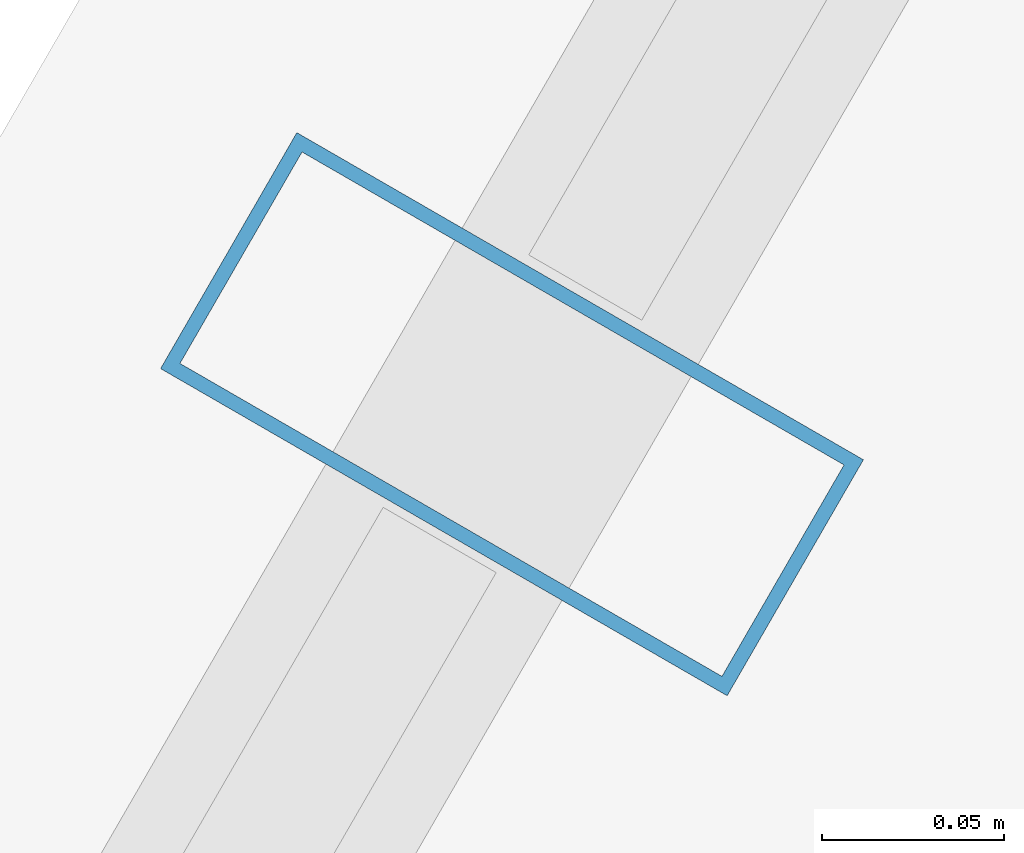
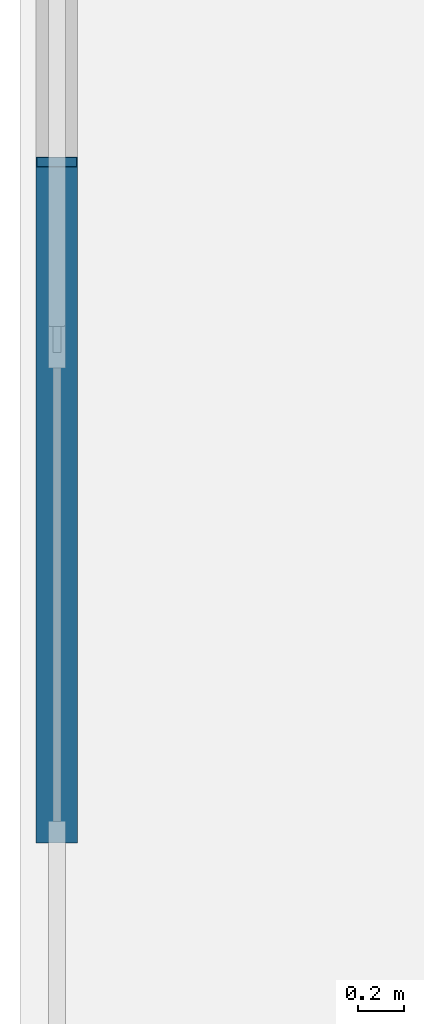
# One storey, part 13 of 31: 1 member, 1 element without a shape of its own.
"""IFC4 building model written with IfcOpenShell, lengths in metres."""

from ifc_helpers import new_model, si_unit, direction, frame, origin, origin_2d, place, context, subcontext, project, spatial, hollow_rectangle, extrude, material, layer, layer_set, material_profile, profile_set, type_object, element, aggregate, save


model = new_model("IFC4")

# Units and contexts
model_context = context("Model", 3, precision=1e-05, world=origin(), true_north=direction((0.0, 1.0)))
body_context = subcontext(model_context, "Body", "Model", "MODEL_VIEW")
ifc_project = project(units=[si_unit("LENGTHUNIT", "METRE"), si_unit("AREAUNIT", "SQUARE_METRE"), si_unit("VOLUMEUNIT", "CUBIC_METRE"), si_unit("PLANEANGLEUNIT", "RADIAN"), si_unit("MASSUNIT", "GRAM", prefix="KILO")], contexts=[model_context])

# Site, building, storey
site_placement = place(None, origin())
site = spatial("IfcSite", under=ifc_project, at=site_placement, CompositionType="ELEMENT")
building_placement = place(site_placement, origin())
building = spatial("IfcBuilding", under=site, at=building_placement, Name="Ndaravel Arena Tower", CompositionType="ELEMENT")
storey_placement = place(building_placement, frame((0.0, 0.0, 104.39990234375)))
storey = spatial("IfcBuildingStorey", under=building, at=storey_placement, Name="L24", CompositionType="ELEMENT", Elevation=104.39990234375)

# Curtain wall, member
ifc_material_1 = material(Name="Aluminium", Category="aluminium")
ifc_layer = layer(ifc_material_1, 0.179931640625)
ifc_layer_set = layer_set([ifc_layer], Name="Aluminium")
curtain_wall_type = type_object("IfcCurtainWallType", Name="CW-SYS-03", PredefinedType="NOTDEFINED", material=ifc_layer_set)
curtain_wall_placement = place(storey_placement, origin())
curtain_wall = element("IfcCurtainWall", 1, at=curtain_wall_placement, inside=storey, type_object=curtain_wall_type, Name="L24 Faceted Crystal Curtain Wall CW-L24-E05", PredefinedType="NOTDEFINED")
ifc_material_2 = material(Name="Aluminium", Category="aluminium")
ifc_material_profile = material_profile(ifc_material_2, hollow_rectangle(XDim=0.074951171875, YDim=0.179931640625, WallThickness=0.00390625, at=origin_2d()), Name="CW MULLION 75x180x4")
ifc_profile_set = profile_set([ifc_material_profile], Name="Aluminium")
member_type = type_object("IfcMemberType", Name="MEM-CW-MUL180", PredefinedType="MULLION", material=ifc_profile_set)
member_placement = place(storey_placement, frame((28.953857421875, 35.038818359375, 0.0), z_axis=(0.0, 0.0, 1.0), x_axis=(-0.5, -0.866025403784, 0.0)))
member = element("IfcMember", 2, at=member_placement, type_object=member_type, Name="CW-L24-E05 Mullion 03", PredefinedType="MULLION", context=body_context, shape_type="SweptSolid", body=[
    extrude(hollow_rectangle(XDim=0.074951171875, YDim=0.179931640625, WallThickness=0.00390625, at=origin_2d()), origin(), (0.0, 0.0, 1.0), 3.580078125),
])
aggregate(curtain_wall, [member])

save(model, "model.ifc")
